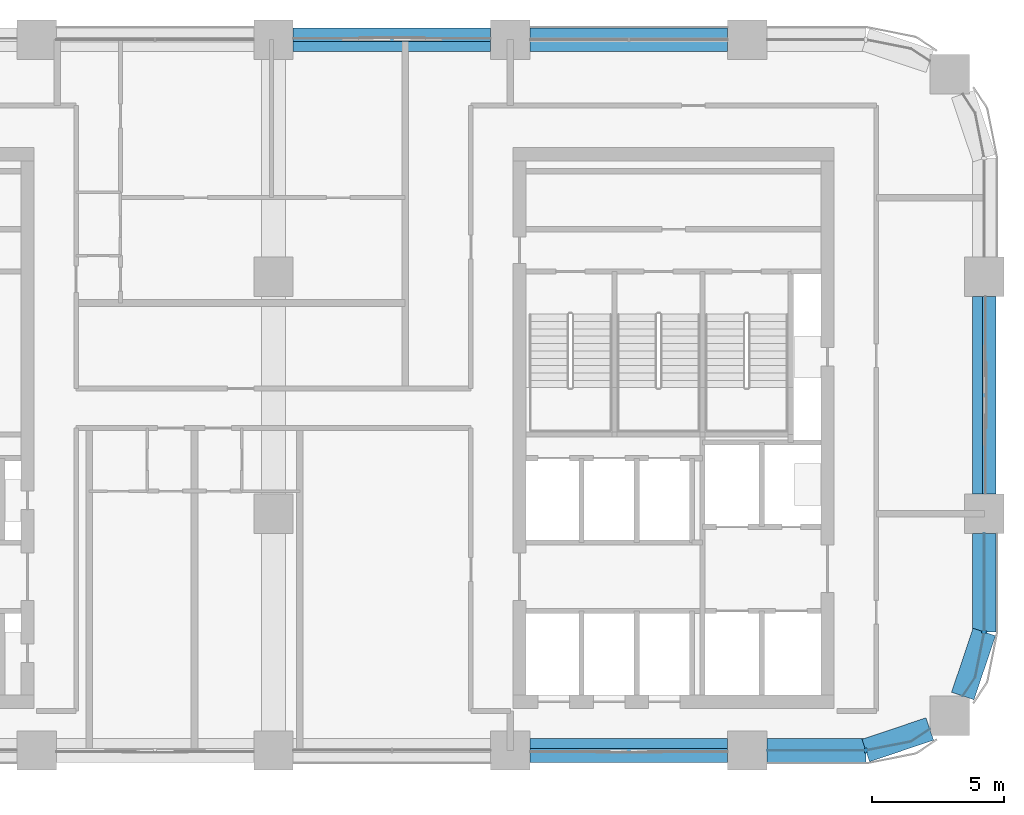
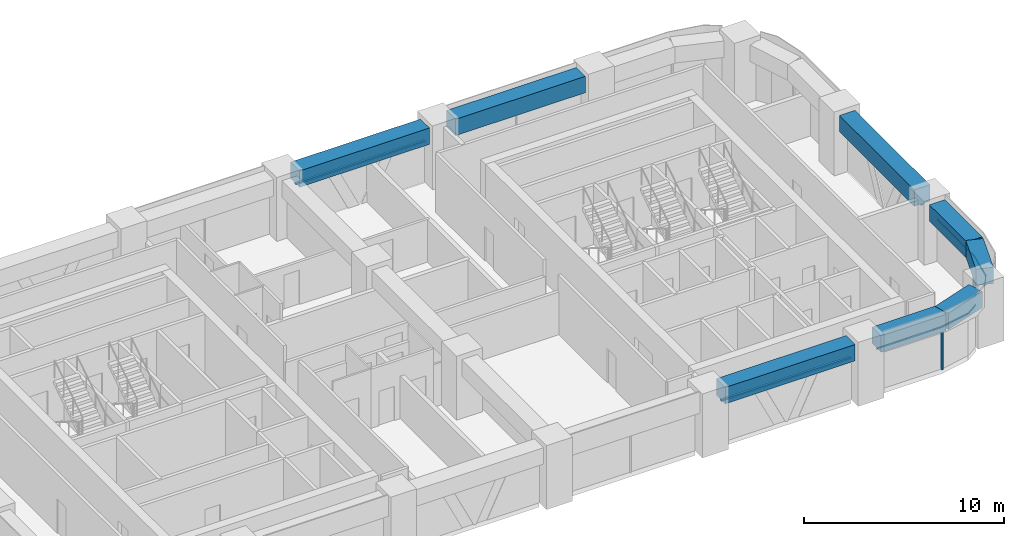
# One storey, part 5 of 14: 8 beams, 7 members, 5 elements without a shape of their own.
"""IFC4 building model written with IfcOpenShell, lengths in metres."""

import ifcopenshell
import ifcopenshell.guid

model = None  # the IFC model being written
_history = None  # IfcOwnerHistory: only IFC2X3 demands one
_inside = {}  # id of a spatial element -> (the spatial element, [elements in it])
_under = {}  # id of a project, library or spatial element -> (it, [spatial elements below it])
_declared = {}  # id of a project -> (the project, [libraries it declares])
_typed = {}  # id of a type object -> (the type object, [elements of that type])
_made_of = {}  # id of a material, layer set ... -> (it, [elements and type objects made of it])


def new_model(schema):
    """Start an empty IFC model of exactly this schema.

    Asked for "IFC4X3", IfcOpenShell would pick the latest addendum, in which some entities
    have other attributes; the version numbers below select the first issue.
    IFC2X3 requires an IfcOwnerHistory on every rooted entity: one is made here for all.
    """
    global model, _history
    if schema == "IFC4X3":
        model = ifcopenshell.file(schema_version=(4, 3, 0, 0))
    else:
        model = ifcopenshell.file(schema=schema)
    _inside.clear()
    _under.clear()
    _declared.clear()
    _typed.clear()
    _made_of.clear()
    _history = None
    if model.schema == "IFC2X3":
        org = make("IfcOrganization", Name="unknown")
        user = make(
            "IfcPersonAndOrganization",
            ThePerson=make("IfcPerson", FamilyName="unknown"),
            TheOrganization=org,
        )
        app = make(
            "IfcApplication",
            ApplicationDeveloper=org,
            Version="unknown",
            ApplicationFullName="unknown",
            ApplicationIdentifier="unknown",
        )
        _history = make(
            "IfcOwnerHistory",
            OwningUser=user,
            OwningApplication=app,
            ChangeAction="ADDED",
            CreationDate=0,
        )
    return model


def make(cls, **values):
    """One entity of the class cls with the attributes given. An attribute that is None is left unset."""
    return model.create_entity(
        cls, **{name: value for name, value in values.items() if value is not None}
    )


def rooted(cls, **values):
    """An entity with a GlobalId (a new one), such as an element, a storey or a relation."""
    return make(cls, GlobalId=ifcopenshell.guid.new(), OwnerHistory=_history, **values)


def si_unit(unit_type, name, prefix=None):
    """IfcSIUnit, for example si_unit("LENGTHUNIT", "METRE", prefix="MILLI")."""
    return make("IfcSIUnit", UnitType=unit_type, Prefix=prefix, Name=name)


def assignment(units):
    """IfcUnitAssignment: the units of a project."""
    return None if units is None else make("IfcUnitAssignment", Units=units)


def point(xyz):
    """IfcCartesianPoint."""
    return None if xyz is None else make("IfcCartesianPoint", Coordinates=xyz)


def direction(xyz):
    """IfcDirection."""
    return None if xyz is None else make("IfcDirection", DirectionRatios=xyz)


def frame(location, z_axis=None, x_axis=None):
    """IfcAxis2Placement3D, a coordinate frame: its origin and axes. An axis left out is left unset."""
    return make(
        "IfcAxis2Placement3D",
        Location=point(location),
        Axis=direction(z_axis),
        RefDirection=direction(x_axis),
    )


def frame_2d(location, x_axis=None):
    """IfcAxis2Placement2D, a coordinate frame in the plane: its origin and x axis."""
    return make(
        "IfcAxis2Placement2D", Location=point(location), RefDirection=direction(x_axis)
    )


def origin():
    """The frame at (0, 0, 0) with its axes left unset."""
    return frame((0.0, 0.0, 0.0))


def origin_2d():
    """The frame at (0, 0) in the plane with its x axis left unset."""
    return frame_2d((0.0, 0.0))


def place(relative_to, where):
    """IfcLocalPlacement: puts the frame where relative to a parent placement (None: the world)."""
    return make(
        "IfcLocalPlacement", PlacementRelTo=relative_to, RelativePlacement=where
    )


def context(
    kind, dimensions, precision=None, world=None, true_north=None, identifier=None
):
    """IfcGeometricRepresentationContext, for example the 3D "Model" context."""
    return make(
        "IfcGeometricRepresentationContext",
        ContextIdentifier=identifier,
        ContextType=kind,
        CoordinateSpaceDimension=dimensions,
        Precision=precision,
        WorldCoordinateSystem=world,
        TrueNorth=true_north,
    )


def subcontext(parent, identifier, kind, view, scale=None):
    """IfcGeometricRepresentationSubContext, for example "Body" below "Model"."""
    return make(
        "IfcGeometricRepresentationSubContext",
        ContextIdentifier=identifier,
        ContextType=kind,
        ParentContext=parent,
        TargetScale=scale,
        TargetView=view,
    )


def project(units=None, contexts=None):
    """IfcProject with its units and contexts."""
    return rooted(
        "IfcProject",
        Name="project",
        RepresentationContexts=contexts,
        UnitsInContext=assignment(units),
    )


def spatial(cls, under=None, at=None, **own):
    """A site, building, storey or space (cls), placed at a placement, below another one or the project."""
    s = rooted(cls, ObjectPlacement=at, **own)
    if under is not None:
        _under.setdefault(under.id(), (under, []))[1].append(s)
    return s


def polyline(points):
    """IfcPolyline through the points."""
    return make("IfcPolyline", Points=[point(p) for p in points])


def profile(cls, at=None, kind="AREA", **sizes):
    """A parametric profile (cls). Its sizes go by their IFC names, for example OverallWidth=200.0."""
    return make(cls, ProfileType=kind, Position=at, **sizes)


def rectangle(**sizes):
    """IfcRectangleProfileDef."""
    return profile("IfcRectangleProfileDef", **sizes)


def outline(outer, holes=None, kind="AREA"):
    """IfcArbitraryClosedProfileDef: a profile drawn as a closed curve; with holes, ...WithVoids."""
    if holes is None:
        return make("IfcArbitraryClosedProfileDef", ProfileType=kind, OuterCurve=outer)
    return make(
        "IfcArbitraryProfileDefWithVoids",
        ProfileType=kind,
        OuterCurve=outer,
        InnerCurves=holes,
    )


def extrude(swept, where, along, depth):
    """IfcExtrudedAreaSolid: the profile swept, set in the frame where, extruded along a direction by depth."""
    return make(
        "IfcExtrudedAreaSolid",
        SweptArea=swept,
        Position=where,
        ExtrudedDirection=direction(along),
        Depth=depth,
    )


def shape(context_of_items, identifier, shape_type, items):
    """IfcShapeRepresentation: the items that make up one representation, for example the "Body"."""
    return make(
        "IfcShapeRepresentation",
        ContextOfItems=context_of_items,
        RepresentationIdentifier=identifier,
        RepresentationType=shape_type,
        Items=items,
    )


def material(Name=None, Category=None):
    """IfcMaterial."""
    return make("IfcMaterial", Name=Name, Category=Category)


def material_profile(
    of_material, cross_section, Name=None, Category=None, Priority=None
):
    """IfcMaterialProfile: a cross section and its material."""
    return make(
        "IfcMaterialProfile",
        Name=Name,
        Material=of_material,
        Profile=cross_section,
        Priority=Priority,
        Category=Category,
    )


def profile_set(profiles, Name=None, composite=None):
    """IfcMaterialProfileSet."""
    return make(
        "IfcMaterialProfileSet",
        Name=Name,
        MaterialProfiles=profiles,
        CompositeProfile=composite,
    )


def made_of(thing, what):
    """Note that an element or type object is made of a material, layer set ...; save() writes the relation."""
    if what is not None:
        _made_of.setdefault(what.id(), (what, []))[1].append(thing)
    return thing


def type_object(cls, material=None, **own):
    """A type object (cls), such as IfcWallType, which elements share."""
    return made_of(rooted(cls, **own), material)


def element(
    cls,
    number,
    at=None,
    inside=None,
    cuts=None,
    type_object=None,
    material=None,
    context=None,
    identifier="Body",
    shape_type=None,
    held_by="IfcProductDefinitionShape",
    body=None,
    shapes=None,
    **own,
):
    """One element of the class cls, such as IfcWall. Its Tag is "e" and its number.

    at: its placement. inside: the storey or other place that contains it. cuts: it is an
    opening in that element (IfcRelVoidsElement). A single representation is given by context,
    identifier, shape_type and body (its items); several are given by shapes. held_by: the class
    of the entity that holds the representations. save() writes the other relations.
    """
    e = rooted(cls, Tag="e%d" % number, ObjectPlacement=at, **own)
    if body is not None:
        shapes = [shape(context, identifier, shape_type, body)]
    if shapes is not None:
        e.Representation = make(held_by, Representations=shapes)
    if inside is not None:
        _inside.setdefault(inside.id(), (inside, []))[1].append(e)
    if cuts is not None:
        rooted(
            "IfcRelVoidsElement", RelatingBuildingElement=cuts, RelatedOpeningElement=e
        )
    if type_object is not None:
        _typed.setdefault(type_object.id(), (type_object, []))[1].append(e)
    return made_of(e, material)


def aggregate(whole, parts):
    """IfcRelAggregates: a whole, such as a stair, and the parts it consists of."""
    return rooted("IfcRelAggregates", RelatingObject=whole, RelatedObjects=parts)


def save(model, path):
    """Write the relations noted so far, then the file.

    IfcRelAggregates (storeys below a building ...), IfcRelContainedInSpatialStructure (elements
    in a storey), IfcRelDefinesByType, IfcRelAssociatesMaterial and IfcRelDeclares: one each for
    every whole, place, type object, material and project.
    """
    for whole, parts in _under.values():
        aggregate(whole, parts)
    for where, things in _inside.values():
        rooted(
            "IfcRelContainedInSpatialStructure",
            RelatedElements=things,
            RelatingStructure=where,
        )
    for kind, things in _typed.values():
        rooted("IfcRelDefinesByType", RelatedObjects=things, RelatingType=kind)
    for what, things in _made_of.values():
        rooted("IfcRelAssociatesMaterial", RelatedObjects=things, RelatingMaterial=what)
    for by, libraries in _declared.values():
        rooted("IfcRelDeclares", RelatingContext=by, RelatedDefinitions=libraries)
    model.write(path)


model = new_model("IFC4")

# Units and contexts
model_context = context("Model", 3, precision=1e-05, world=origin(), true_north=direction((0.0, 1.0)))
body_context = subcontext(model_context, "Body", "Model", "MODEL_VIEW")
ifc_project = project(units=[si_unit("LENGTHUNIT", "METRE"), si_unit("AREAUNIT", "SQUARE_METRE"), si_unit("VOLUMEUNIT", "CUBIC_METRE"), si_unit("PLANEANGLEUNIT", "RADIAN"), si_unit("MASSUNIT", "GRAM", prefix="KILO")], contexts=[model_context])

# Site, building, storey
site_placement = place(None, origin())
site = spatial("IfcSite", under=ifc_project, at=site_placement, CompositionType="ELEMENT")
building_placement = place(site_placement, origin())
building = spatial("IfcBuilding", under=site, at=building_placement, Name="Tessera Arch", CompositionType="ELEMENT")
storey_placement = place(building_placement, frame((0.0, 0.0, 173.89990234375)))
storey = spatial("IfcBuildingStorey", under=building, at=storey_placement, Name="L41", CompositionType="ELEMENT", Elevation=173.89990234375)

# Curtain wall, member
ifc_material_1 = material(Name="CW2 curtain wall")
curtain_wall_type_1 = type_object("IfcCurtainWallType", Name="CW2 curtain wall", PredefinedType="NOTDEFINED", material=ifc_material_1)
curtain_wall_1_placement = place(storey_placement, origin())
curtain_wall_1 = element("IfcCurtainWall", 1, at=curtain_wall_1_placement, inside=storey, type_object=curtain_wall_type_1, Name="CW2 curtain wall S27.0/5 L41", PredefinedType="NOTDEFINED")
ifc_material_2 = material(Name="Anodised aluminium pale metal", Category="aluminium")
ifc_material_profile_1 = material_profile(ifc_material_2, rectangle(XDim=0.199951171875, YDim=0.080078125, at=origin_2d()), Name="AL 80x200")
ifc_profile_set_1 = profile_set([ifc_material_profile_1], Name="Anodised aluminium pale metal")
member_type_1 = type_object("IfcMemberType", Name="CW2 mullion", PredefinedType="MULLION", material=ifc_profile_set_1)
member_1_placement = place(storey_placement, frame((49.5, 27.0, 0.0), z_axis=(0.0, 0.0, 1.0), x_axis=(0.0, 1.0, 0.0)))
member_1 = element("IfcMember", 2, at=member_1_placement, type_object=member_type_1, Name="CW2 mullion S27.0/5 1", PredefinedType="MULLION", context=body_context, shape_type="SweptSolid", body=[
    extrude(rectangle(XDim=0.199951171875, YDim=0.080078125, at=origin_2d()), origin(), (0.0, 0.0, 1.0), 2.5),
])

curtain_wall_2_placement = place(storey_placement, origin())
curtain_wall_2 = element("IfcCurtainWall", 3, at=curtain_wall_2_placement, inside=storey, type_object=curtain_wall_type_1, Name="CW2 curtain wall E54.27/2 L41", PredefinedType="NOTDEFINED")
member_2_placement = place(storey_placement, frame((54.0, 31.5, 0.0), z_axis=(0.0, 0.0, 1.0), x_axis=(-1.0, 0.0, 0.0)))
member_2 = element("IfcMember", 4, at=member_2_placement, type_object=member_type_1, Name="CW2 mullion E54.27/2 1", PredefinedType="MULLION", context=body_context, shape_type="SweptSolid", body=[
    extrude(rectangle(XDim=0.199951171875, YDim=0.080078125, at=origin_2d()), origin(), (0.0, 0.0, 1.0), 2.5),
])

# Member
ifc_material_3 = material(Name="Anodised aluminium pale metal", Category="aluminium")
ifc_material_profile_2 = material_profile(ifc_material_3, rectangle(XDim=0.199951171875, YDim=0.10009765625, at=origin_2d()), Name="AL 200x100")
ifc_profile_set_2 = profile_set([ifc_material_profile_2], Name="Anodised aluminium pale metal")
member_type_2 = type_object("IfcMemberType", Name="CW2 transom", PredefinedType="USERDEFINED", material=ifc_profile_set_2)
member_3_placement = place(storey_placement, frame((0.0, 0.0, 2.5)))
member_3 = element("IfcMember", 5, at=member_3_placement, type_object=member_type_2, Name="CW2 transom S27.0/5 1", ObjectType="TRANSOM", PredefinedType="USERDEFINED", context=body_context, shape_type="SweptSolid", body=[
    extrude(outline(polyline([(49.4990234375, 27.010009765625), (45.75, 27.010009765625), (45.75, 26.989990234375), (49.5009765625, 26.989990234375), (51.22607421875, 27.3330078125), (51.9375, 27.80859375), (51.926513671875, 27.8251953125), (51.21826171875, 27.351806640625), (49.4990234375, 27.010009765625)])), origin(), (0.0, 0.0, 1.0), 0.10009765625),
])

aggregate(curtain_wall_1, [member_1, member_3])

member_4_placement = place(storey_placement, frame((0.0, 0.0, 2.5)))
member_4 = element("IfcMember", 6, at=member_4_placement, type_object=member_type_2, Name="CW2 transom E54.27/2 1", ObjectType="TRANSOM", PredefinedType="USERDEFINED", context=body_context, shape_type="SweptSolid", body=[
    extrude(outline(polyline([(53.648193359375, 29.78173828125), (53.1748046875, 29.073486328125), (53.19140625, 29.0625), (53.6669921875, 29.77392578125), (54.010009765625, 31.4990234375), (54.010009765625, 35.25), (53.989990234375, 35.25), (53.989990234375, 31.5009765625), (53.648193359375, 29.78173828125)])), origin(), (0.0, 0.0, 1.0), 0.10009765625),
])

aggregate(curtain_wall_2, [member_2, member_4])

# Curtain wall, member
ifc_material_4 = material(Name="CW3 curtain wall")
curtain_wall_type_2 = type_object("IfcCurtainWallType", Name="CW3 curtain wall", PredefinedType="NOTDEFINED", material=ifc_material_4)
curtain_wall_3_placement = place(storey_placement, origin())
curtain_wall_3 = element("IfcCurtainWall", 7, at=curtain_wall_3_placement, inside=storey, type_object=curtain_wall_type_2, Name="CW3 curtain wall E54.27/0 L41", PredefinedType="NOTDEFINED")
ifc_material_5 = material(Name="Anodised aluminium pale metal", Category="aluminium")
ifc_material_profile_3 = material_profile(ifc_material_5, rectangle(XDim=0.139892578125, YDim=0.10009765625, at=origin_2d()), Name="AL 140x100")
ifc_profile_set_3 = profile_set([ifc_material_profile_3], Name="Anodised aluminium pale metal")
member_type_3 = type_object("IfcMemberType", Name="CW3 transom", PredefinedType="USERDEFINED", material=ifc_profile_set_3)
member_5_placement = place(storey_placement, frame((54.0, 36.75, 2.550048828125), z_axis=(0.0, 1.0, 0.0), x_axis=(-1.0, 0.0, 0.0)))
member_5 = element("IfcMember", 8, at=member_5_placement, type_object=member_type_3, Name="CW3 transom E54.27/0 1.1", ObjectType="TRANSOM", PredefinedType="USERDEFINED", context=body_context, shape_type="SweptSolid", body=[
    extrude(rectangle(XDim=0.139892578125, YDim=0.10009765625, at=origin_2d()), origin(), (0.0, 0.0, 1.0), 7.5),
])
aggregate(curtain_wall_3, [member_5])

curtain_wall_4_placement = place(storey_placement, origin())
curtain_wall_4 = element("IfcCurtainWall", 9, at=curtain_wall_4_placement, inside=storey, type_object=curtain_wall_type_2, Name="CW3 curtain wall N54.0/2 L41", PredefinedType="NOTDEFINED")
member_6_placement = place(storey_placement, frame((35.25, 54.0, 2.550048828125), z_axis=(-1.0, 0.0, 0.0), x_axis=(0.0, -1.0, 0.0)))
member_6 = element("IfcMember", 10, at=member_6_placement, type_object=member_type_3, Name="CW3 transom N54.0/2 1.1", ObjectType="TRANSOM", PredefinedType="USERDEFINED", context=body_context, shape_type="SweptSolid", body=[
    extrude(rectangle(XDim=0.139892578125, YDim=0.10009765625, at=origin_2d()), origin(), (0.0, 0.0, 1.0), 7.5),
])
aggregate(curtain_wall_4, [member_6])

curtain_wall_5_placement = place(storey_placement, origin())
curtain_wall_5 = element("IfcCurtainWall", 11, at=curtain_wall_5_placement, inside=storey, type_object=curtain_wall_type_2, Name="CW3 curtain wall S27.0/4 L41", PredefinedType="NOTDEFINED")
member_7_placement = place(storey_placement, frame((36.75, 27.0, 2.550048828125), z_axis=(1.0, 0.0, 0.0), x_axis=(0.0, 1.0, 0.0)))
member_7 = element("IfcMember", 12, at=member_7_placement, type_object=member_type_3, Name="CW3 transom S27.0/4 1.1", ObjectType="TRANSOM", PredefinedType="USERDEFINED", context=body_context, shape_type="SweptSolid", body=[
    extrude(rectangle(XDim=0.139892578125, YDim=0.10009765625, at=origin_2d()), origin(), (0.0, 0.0, 1.0), 7.5),
])
aggregate(curtain_wall_5, [member_7])

# Beams
ifc_material_6 = material(Name="Concrete C70/85", Category="concrete")
ifc_material_profile_4 = material_profile(ifc_material_6, rectangle(XDim=0.89990234375, YDim=1.0, at=origin_2d()), Name="RC spandrel beam 900 x 1000 Concrete C70/85")
ifc_profile_set_4 = profile_set([ifc_material_profile_4], Name="Concrete C70/85")
beam_type = type_object("IfcBeamType", Name="RC spandrel beam 900 x 1000 Concrete C70/85", PredefinedType="BEAM", material=ifc_profile_set_4)
for number, where, z_axis, x_axis, name in (
    (13, (54.0, 36.75, 3.10009765625), (0.0, 1.0, 0.0), (-1.0, 0.0, 0.0), "Spandrel beam L41 E54.27/0"),
    (14, (44.25, 54.0, 3.10009765625), (-1.0, 0.0, 0.0), (0.0, -1.0, 0.0), "Spandrel beam L41 N54.0/1"),
    (15, (35.25, 54.0, 3.10009765625), (-1.0, 0.0, 0.0), (0.0, -1.0, 0.0), "Spandrel beam L41 N54.0/2"),
    (16, (36.75, 27.0, 3.10009765625), (1.0, 0.0, 0.0), (0.0, 1.0, 0.0), "Spandrel beam L41 S27.0/4"),
):
    element("IfcBeam", number, at=place(storey_placement, frame(where, z_axis=z_axis, x_axis=x_axis)), inside=storey, type_object=beam_type, Name=name, PredefinedType="BEAM", context=body_context, shape_type="SweptSolid", body=[
        extrude(rectangle(XDim=0.89990234375, YDim=1.0, at=origin_2d()), origin(), (0.0, 0.0, 1.0), 7.5),
    ])
beam_1_placement = place(storey_placement, frame((45.75, 27.0, 3.10009765625), z_axis=(1.0, 0.0, 0.0), x_axis=(0.0, 1.0, 0.0)))
element("IfcBeam", 17, at=beam_1_placement, inside=storey, type_object=beam_type, Name="Spandrel beam L41 S27.0/5.1", PredefinedType="BEAM", context=body_context, shape_type="SweptSolid", body=[
    extrude(rectangle(XDim=0.89990234375, YDim=1.0, at=origin_2d()), origin(), (0.0, 0.0, 1.0), 3.75),
])
for number, where, z_axis, x_axis, name in (
    (18, (49.5, 27.0, 3.10009765625), (0.947947973234, 0.31842525032, 0.0), (-0.31842525032, 0.947947973234, 0.0), "Spandrel beam L41 S27.0/5.2"),
    (19, (53.18310546875, 29.068115234375, 3.10009765625), (0.31842525032, 0.947947973234, 0.0), (-0.947947973234, 0.31842525032, 0.0), "Spandrel beam L41 E54.27/2.1"),
):
    element("IfcBeam", number, at=place(storey_placement, frame(where, z_axis=z_axis, x_axis=x_axis)), inside=storey, type_object=beam_type, Name=name, PredefinedType="BEAM", context=body_context, shape_type="SweptSolid", body=[
        extrude(rectangle(XDim=0.89990234375, YDim=1.0, at=origin_2d()), origin(), (0.0, 0.0, 1.0), 2.5654296875),
    ])
beam_2_placement = place(storey_placement, frame((54.0, 31.5, 3.10009765625), z_axis=(0.0, 1.0, 0.0), x_axis=(-1.0, 0.0, 0.0)))
element("IfcBeam", 20, at=beam_2_placement, inside=storey, type_object=beam_type, Name="Spandrel beam L41 E54.27/2.2", PredefinedType="BEAM", context=body_context, shape_type="SweptSolid", body=[
    extrude(rectangle(XDim=0.89990234375, YDim=1.0, at=origin_2d()), origin(), (0.0, 0.0, 1.0), 3.75),
])

save(model, "model.ifc")
